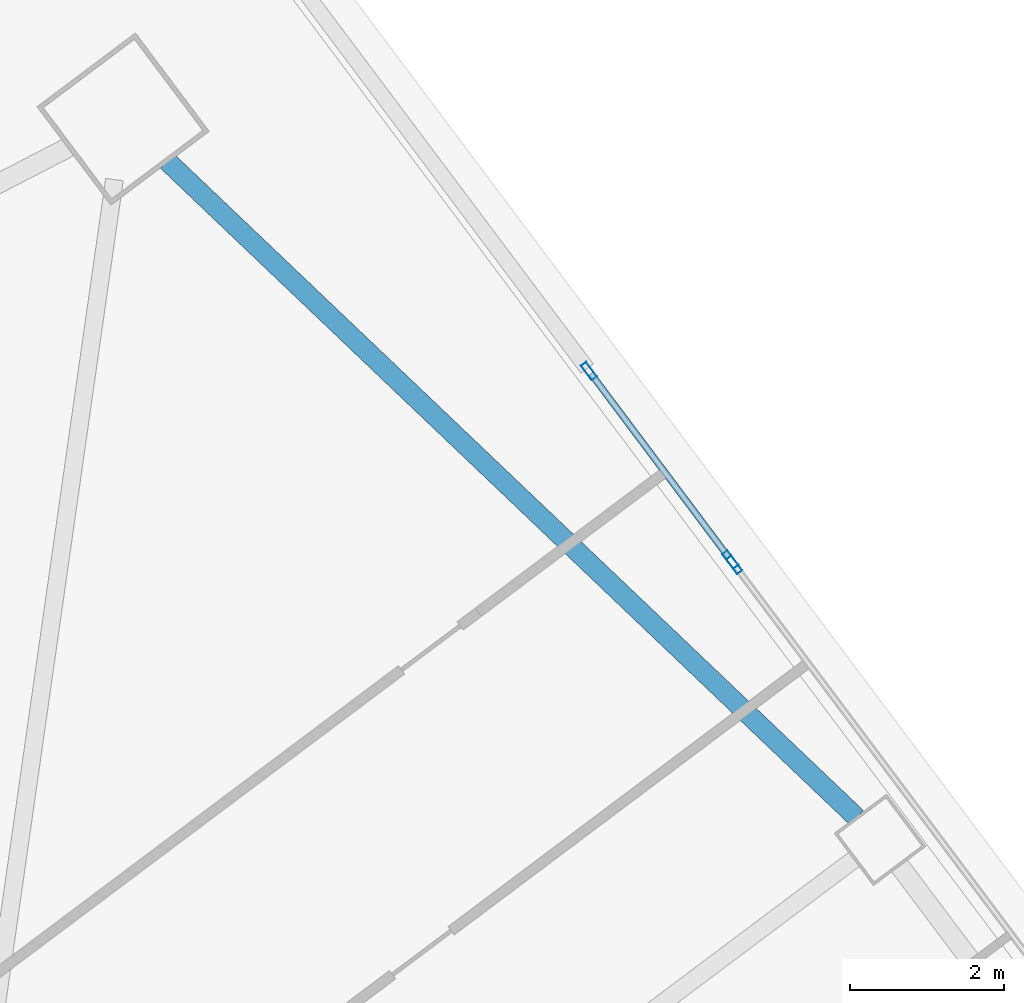
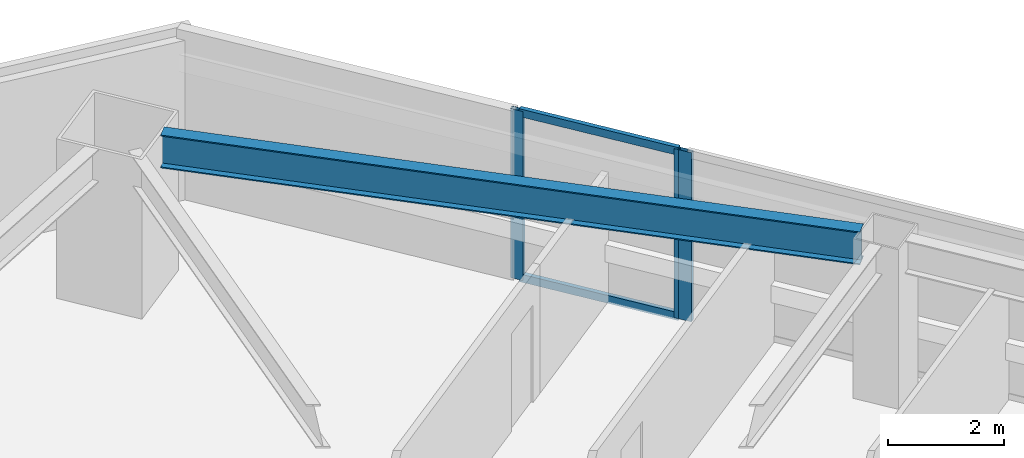
# One storey, part 34 of 46: 5 members, 1 beam, 2 elements without a shape of their own.
"""IFC4 building model written with IfcOpenShell, lengths in metres."""

import ifcopenshell
import ifcopenshell.guid

model = None  # the IFC model being written
_history = None  # IfcOwnerHistory: only IFC2X3 demands one
_inside = {}  # id of a spatial element -> (the spatial element, [elements in it])
_under = {}  # id of a project, library or spatial element -> (it, [spatial elements below it])
_declared = {}  # id of a project -> (the project, [libraries it declares])
_typed = {}  # id of a type object -> (the type object, [elements of that type])
_made_of = {}  # id of a material, layer set ... -> (it, [elements and type objects made of it])


def new_model(schema):
    """Start an empty IFC model of exactly this schema.

    Asked for "IFC4X3", IfcOpenShell would pick the latest addendum, in which some entities
    have other attributes; the version numbers below select the first issue.
    IFC2X3 requires an IfcOwnerHistory on every rooted entity: one is made here for all.
    """
    global model, _history
    if schema == "IFC4X3":
        model = ifcopenshell.file(schema_version=(4, 3, 0, 0))
    else:
        model = ifcopenshell.file(schema=schema)
    _inside.clear()
    _under.clear()
    _declared.clear()
    _typed.clear()
    _made_of.clear()
    _history = None
    if model.schema == "IFC2X3":
        org = make("IfcOrganization", Name="unknown")
        user = make(
            "IfcPersonAndOrganization",
            ThePerson=make("IfcPerson", FamilyName="unknown"),
            TheOrganization=org,
        )
        app = make(
            "IfcApplication",
            ApplicationDeveloper=org,
            Version="unknown",
            ApplicationFullName="unknown",
            ApplicationIdentifier="unknown",
        )
        _history = make(
            "IfcOwnerHistory",
            OwningUser=user,
            OwningApplication=app,
            ChangeAction="ADDED",
            CreationDate=0,
        )
    return model


def make(cls, **values):
    """One entity of the class cls with the attributes given. An attribute that is None is left unset."""
    return model.create_entity(
        cls, **{name: value for name, value in values.items() if value is not None}
    )


def rooted(cls, **values):
    """An entity with a GlobalId (a new one), such as an element, a storey or a relation."""
    return make(cls, GlobalId=ifcopenshell.guid.new(), OwnerHistory=_history, **values)


def si_unit(unit_type, name, prefix=None):
    """IfcSIUnit, for example si_unit("LENGTHUNIT", "METRE", prefix="MILLI")."""
    return make("IfcSIUnit", UnitType=unit_type, Prefix=prefix, Name=name)


def assignment(units):
    """IfcUnitAssignment: the units of a project."""
    return None if units is None else make("IfcUnitAssignment", Units=units)


def point(xyz):
    """IfcCartesianPoint."""
    return None if xyz is None else make("IfcCartesianPoint", Coordinates=xyz)


def direction(xyz):
    """IfcDirection."""
    return None if xyz is None else make("IfcDirection", DirectionRatios=xyz)


def frame(location, z_axis=None, x_axis=None):
    """IfcAxis2Placement3D, a coordinate frame: its origin and axes. An axis left out is left unset."""
    return make(
        "IfcAxis2Placement3D",
        Location=point(location),
        Axis=direction(z_axis),
        RefDirection=direction(x_axis),
    )


def frame_2d(location, x_axis=None):
    """IfcAxis2Placement2D, a coordinate frame in the plane: its origin and x axis."""
    return make(
        "IfcAxis2Placement2D", Location=point(location), RefDirection=direction(x_axis)
    )


def origin():
    """The frame at (0, 0, 0) with its axes left unset."""
    return frame((0.0, 0.0, 0.0))


def origin_2d():
    """The frame at (0, 0) in the plane with its x axis left unset."""
    return frame_2d((0.0, 0.0))


def place(relative_to, where):
    """IfcLocalPlacement: puts the frame where relative to a parent placement (None: the world)."""
    return make(
        "IfcLocalPlacement", PlacementRelTo=relative_to, RelativePlacement=where
    )


def context(
    kind, dimensions, precision=None, world=None, true_north=None, identifier=None
):
    """IfcGeometricRepresentationContext, for example the 3D "Model" context."""
    return make(
        "IfcGeometricRepresentationContext",
        ContextIdentifier=identifier,
        ContextType=kind,
        CoordinateSpaceDimension=dimensions,
        Precision=precision,
        WorldCoordinateSystem=world,
        TrueNorth=true_north,
    )


def subcontext(parent, identifier, kind, view, scale=None):
    """IfcGeometricRepresentationSubContext, for example "Body" below "Model"."""
    return make(
        "IfcGeometricRepresentationSubContext",
        ContextIdentifier=identifier,
        ContextType=kind,
        ParentContext=parent,
        TargetScale=scale,
        TargetView=view,
    )


def project(units=None, contexts=None):
    """IfcProject with its units and contexts."""
    return rooted(
        "IfcProject",
        Name="project",
        RepresentationContexts=contexts,
        UnitsInContext=assignment(units),
    )


def spatial(cls, under=None, at=None, **own):
    """A site, building, storey or space (cls), placed at a placement, below another one or the project."""
    s = rooted(cls, ObjectPlacement=at, **own)
    if under is not None:
        _under.setdefault(under.id(), (under, []))[1].append(s)
    return s


def profile(cls, at=None, kind="AREA", **sizes):
    """A parametric profile (cls). Its sizes go by their IFC names, for example OverallWidth=200.0."""
    return make(cls, ProfileType=kind, Position=at, **sizes)


def hollow_rectangle(**sizes):
    """IfcRectangleHollowProfileDef."""
    return profile("IfcRectangleHollowProfileDef", **sizes)


def i_section(**sizes):
    """IfcIShapeProfileDef."""
    return profile("IfcIShapeProfileDef", **sizes)


def extrude(swept, where, along, depth):
    """IfcExtrudedAreaSolid: the profile swept, set in the frame where, extruded along a direction by depth."""
    return make(
        "IfcExtrudedAreaSolid",
        SweptArea=swept,
        Position=where,
        ExtrudedDirection=direction(along),
        Depth=depth,
    )


def shape(context_of_items, identifier, shape_type, items):
    """IfcShapeRepresentation: the items that make up one representation, for example the "Body"."""
    return make(
        "IfcShapeRepresentation",
        ContextOfItems=context_of_items,
        RepresentationIdentifier=identifier,
        RepresentationType=shape_type,
        Items=items,
    )


def material(Name=None, Category=None):
    """IfcMaterial."""
    return make("IfcMaterial", Name=Name, Category=Category)


def material_profile(
    of_material, cross_section, Name=None, Category=None, Priority=None
):
    """IfcMaterialProfile: a cross section and its material."""
    return make(
        "IfcMaterialProfile",
        Name=Name,
        Material=of_material,
        Profile=cross_section,
        Priority=Priority,
        Category=Category,
    )


def profile_set(profiles, Name=None, composite=None):
    """IfcMaterialProfileSet."""
    return make(
        "IfcMaterialProfileSet",
        Name=Name,
        MaterialProfiles=profiles,
        CompositeProfile=composite,
    )


def made_of(thing, what):
    """Note that an element or type object is made of a material, layer set ...; save() writes the relation."""
    if what is not None:
        _made_of.setdefault(what.id(), (what, []))[1].append(thing)
    return thing


def type_object(cls, material=None, **own):
    """A type object (cls), such as IfcWallType, which elements share."""
    return made_of(rooted(cls, **own), material)


def element(
    cls,
    number,
    at=None,
    inside=None,
    cuts=None,
    type_object=None,
    material=None,
    context=None,
    identifier="Body",
    shape_type=None,
    held_by="IfcProductDefinitionShape",
    body=None,
    shapes=None,
    **own,
):
    """One element of the class cls, such as IfcWall. Its Tag is "e" and its number.

    at: its placement. inside: the storey or other place that contains it. cuts: it is an
    opening in that element (IfcRelVoidsElement). A single representation is given by context,
    identifier, shape_type and body (its items); several are given by shapes. held_by: the class
    of the entity that holds the representations. save() writes the other relations.
    """
    e = rooted(cls, Tag="e%d" % number, ObjectPlacement=at, **own)
    if body is not None:
        shapes = [shape(context, identifier, shape_type, body)]
    if shapes is not None:
        e.Representation = make(held_by, Representations=shapes)
    if inside is not None:
        _inside.setdefault(inside.id(), (inside, []))[1].append(e)
    if cuts is not None:
        rooted(
            "IfcRelVoidsElement", RelatingBuildingElement=cuts, RelatedOpeningElement=e
        )
    if type_object is not None:
        _typed.setdefault(type_object.id(), (type_object, []))[1].append(e)
    return made_of(e, material)


def aggregate(whole, parts):
    """IfcRelAggregates: a whole, such as a stair, and the parts it consists of."""
    return rooted("IfcRelAggregates", RelatingObject=whole, RelatedObjects=parts)


def save(model, path):
    """Write the relations noted so far, then the file.

    IfcRelAggregates (storeys below a building ...), IfcRelContainedInSpatialStructure (elements
    in a storey), IfcRelDefinesByType, IfcRelAssociatesMaterial and IfcRelDeclares: one each for
    every whole, place, type object, material and project.
    """
    for whole, parts in _under.values():
        aggregate(whole, parts)
    for where, things in _inside.values():
        rooted(
            "IfcRelContainedInSpatialStructure",
            RelatedElements=things,
            RelatingStructure=where,
        )
    for kind, things in _typed.values():
        rooted("IfcRelDefinesByType", RelatedObjects=things, RelatingType=kind)
    for what, things in _made_of.values():
        rooted("IfcRelAssociatesMaterial", RelatedObjects=things, RelatingMaterial=what)
    for by, libraries in _declared.values():
        rooted("IfcRelDeclares", RelatingContext=by, RelatedDefinitions=libraries)
    model.write(path)


model = new_model("IFC4")

# Units and contexts
model_context = context("Model", 3, precision=1e-05, world=origin(), true_north=direction((0.0, 1.0)))
body_context = subcontext(model_context, "Body", "Model", "MODEL_VIEW")
ifc_project = project(units=[si_unit("LENGTHUNIT", "METRE"), si_unit("AREAUNIT", "SQUARE_METRE"), si_unit("VOLUMEUNIT", "CUBIC_METRE"), si_unit("PLANEANGLEUNIT", "RADIAN"), si_unit("MASSUNIT", "GRAM", prefix="KILO")], contexts=[model_context])

# Site, building, storey
site_placement = place(None, origin())
site = spatial("IfcSite", under=ifc_project, at=site_placement, CompositionType="ELEMENT")
building_placement = place(site_placement, origin())
building = spatial("IfcBuilding", under=site, at=building_placement, Name="Tashvorn Skyway Center", CompositionType="ELEMENT")
storey_placement = place(building_placement, frame((0.0, 0.0, 60.10009765625)))
storey = spatial("IfcBuildingStorey", under=building, at=storey_placement, Name="L15", CompositionType="ELEMENT", Elevation=60.10009765625)

# Beam
ifc_material_1 = material(Name="Steel ASTM A992 Grade 50", Category="steel")
ifc_material_profile_1 = material_profile(ifc_material_1, i_section(OverallWidth=0.256103515625, OverallDepth=0.693115234375, WebThickness=0.014404296875, FlangeThickness=0.023681640625, at=origin_2d()), Name="W27X114")
ifc_profile_set_1 = profile_set([ifc_material_profile_1], Name="Steel ASTM A992 Grade 50")
beam_type = type_object("IfcBeamType", Name="BM-SPANDREL-W27X114", PredefinedType="SPANDREL", material=ifc_profile_set_1)
beam_placement = place(storey_placement, frame((127.2958984375, 49.23974609375, 3.00341796875), z_axis=(-0.724200339835, 0.689589637236, 0.0), x_axis=(-0.689589637236, -0.724200339835, 0.0)))
element("IfcBeam", 1, at=beam_placement, inside=storey, type_object=beam_type, Name="Tower 2 L15 Spandrel Beam 06", PredefinedType="SPANDREL", context=body_context, shape_type="SweptSolid", body=[
    extrude(i_section(OverallWidth=0.256103515625, OverallDepth=0.693115234375, WebThickness=0.014404296875, FlangeThickness=0.023681640625, at=origin_2d()), origin(), (0.0, 0.0, 1.0), 12.37255859375),
])

# Curtain wall, members
ifc_material_2 = material(Name="Thermally broken bronze-anodized aluminium 6063-T6", Category="aluminium")
curtain_wall_type = type_object("IfcCurtainWallType", Name="CW-CW-Z1", PredefinedType="NOTDEFINED", material=ifc_material_2)
curtain_wall_1_placement = place(storey_placement, origin())
curtain_wall_1 = element("IfcCurtainWall", 2, at=curtain_wall_1_placement, inside=storey, type_object=curtain_wall_type, Name="Tower 2 L15 East Unitised Curtain Wall Glazing Group 1", PredefinedType="NOTDEFINED")
ifc_material_profile_2 = material_profile(ifc_material_2, hollow_rectangle(XDim=0.0849609375, YDim=0.239990234375, WallThickness=0.0048828125, at=origin_2d()), Name="ALU-MULL-85x240")
ifc_profile_set_2 = profile_set([ifc_material_profile_2], Name="Thermally broken bronze-anodized aluminium 6063-T6")
member_type_1 = type_object("IfcMemberType", Name="CWM-CW-Z1", PredefinedType="MULLION", material=ifc_profile_set_2)
member_1_placement = place(storey_placement, frame((123.8173828125, 55.043212890625, 0.0), z_axis=(0.0, 0.0, 1.0), x_axis=(0.799996186392, 0.600005084776, 0.0)))
member_1 = element("IfcMember", 3, at=member_1_placement, type_object=member_type_1, Name="CW-Z1 mullion 1", PredefinedType="MULLION", context=body_context, shape_type="SweptSolid", body=[
    extrude(hollow_rectangle(XDim=0.0849609375, YDim=0.239990234375, WallThickness=0.0048828125, at=origin_2d()), origin(), (0.0, 0.0, 1.0), 3.5498046875),
])
member_2_placement = place(storey_placement, frame((125.654541015625, 52.593994140625, 0.0), z_axis=(0.0, 0.0, 1.0), x_axis=(0.799996186392, 0.600005084776, 0.0)))
member_2 = element("IfcMember", 4, at=member_2_placement, type_object=member_type_1, Name="CW-Z1 mullion 2", PredefinedType="MULLION", context=body_context, shape_type="SweptSolid", body=[
    extrude(hollow_rectangle(XDim=0.0849609375, YDim=0.239990234375, WallThickness=0.0048828125, at=origin_2d()), origin(), (0.0, 0.0, 1.0), 3.5498046875),
])

# Curtain wall, member
curtain_wall_2_placement = place(storey_placement, origin())
curtain_wall_2 = element("IfcCurtainWall", 5, at=curtain_wall_2_placement, inside=storey, type_object=curtain_wall_type, Name="Tower 2 L15 East Unitised Curtain Wall Glazing Group 2", PredefinedType="NOTDEFINED")
member_3_placement = place(storey_placement, frame((125.70556640625, 52.52587890625, 0.0), z_axis=(0.0, 0.0, 1.0), x_axis=(0.799999999998, 0.600000000002, 0.0)))
member_3 = element("IfcMember", 6, at=member_3_placement, type_object=member_type_1, Name="CW-Z1 mullion 1", PredefinedType="MULLION", context=body_context, shape_type="SweptSolid", body=[
    extrude(hollow_rectangle(XDim=0.0849609375, YDim=0.239990234375, WallThickness=0.0048828125, at=origin_2d()), origin(), (0.0, 0.0, 1.0), 3.5498046875),
])
aggregate(curtain_wall_2, [member_3])

# Member
ifc_material_profile_3 = material_profile(ifc_material_2, hollow_rectangle(XDim=0.0849609375, YDim=0.1650390625, WallThickness=0.0048828125, at=origin_2d()), Name="ALU-TRAN-85x165")
ifc_profile_set_3 = profile_set([ifc_material_profile_3], Name="Thermally broken bronze-anodized aluminium 6063-T6")
member_type_2 = type_object("IfcMemberType", Name="CWT-CW-Z1", PredefinedType="USERDEFINED", material=ifc_profile_set_3)
member_4_placement = place(storey_placement, frame((123.843017578125, 55.00927734375, 0.04248046875), z_axis=(0.599973753388, -0.800019684286, 0.0), x_axis=(0.800019684286, 0.599973753388, 0.0)))
member_4 = element("IfcMember", 7, at=member_4_placement, type_object=member_type_2, Name="CW-Z1 transom 1.1", ObjectType="TRANSOM", PredefinedType="USERDEFINED", context=body_context, shape_type="SweptSolid", body=[
    extrude(hollow_rectangle(XDim=0.0849609375, YDim=0.1650390625, WallThickness=0.0048828125, at=origin_2d()), origin(), (0.0, 0.0, 1.0), 2.9765625),
])

member_5_placement = place(storey_placement, frame((123.843017578125, 55.00927734375, 3.50732421875), z_axis=(0.599973753388, -0.800019684286, 0.0), x_axis=(0.800019684286, 0.599973753388, 0.0)))
member_5 = element("IfcMember", 8, at=member_5_placement, type_object=member_type_2, Name="CW-Z1 transom 1.2", ObjectType="TRANSOM", PredefinedType="USERDEFINED", context=body_context, shape_type="SweptSolid", body=[
    extrude(hollow_rectangle(XDim=0.0849609375, YDim=0.1650390625, WallThickness=0.0048828125, at=origin_2d()), origin(), (0.0, 0.0, 1.0), 2.9765625),
])

aggregate(curtain_wall_1, [member_1, member_2, member_4, member_5])

save(model, "model.ifc")
